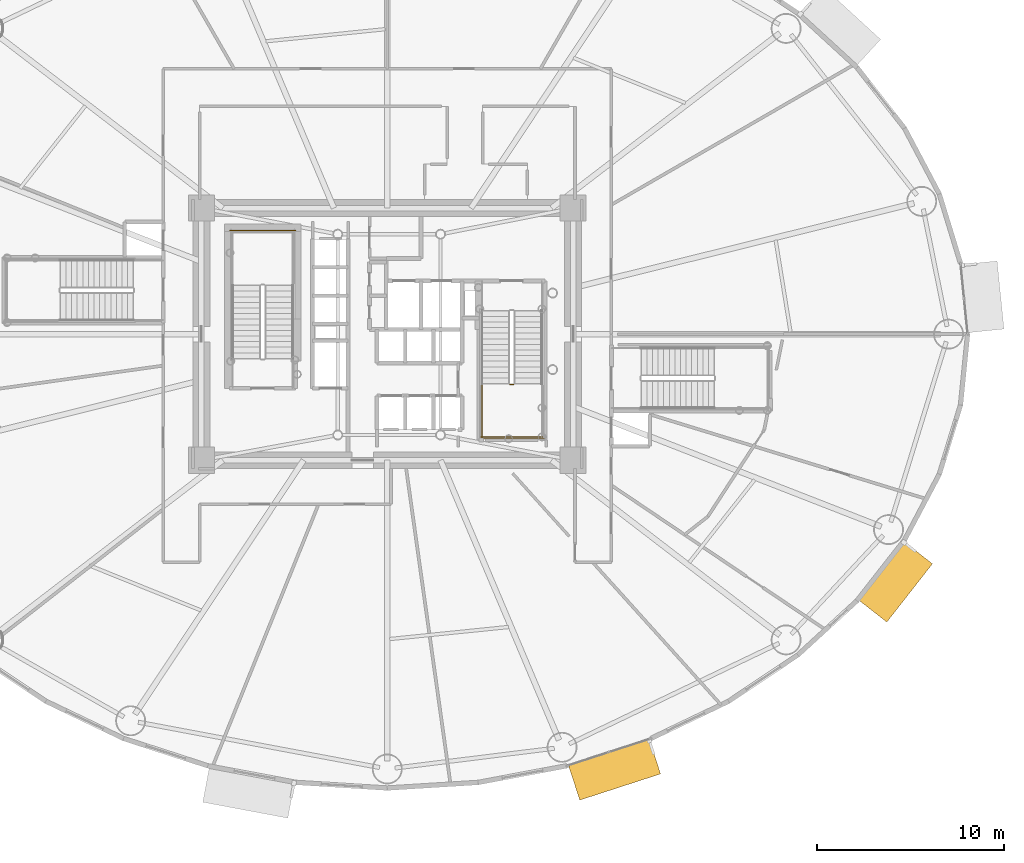
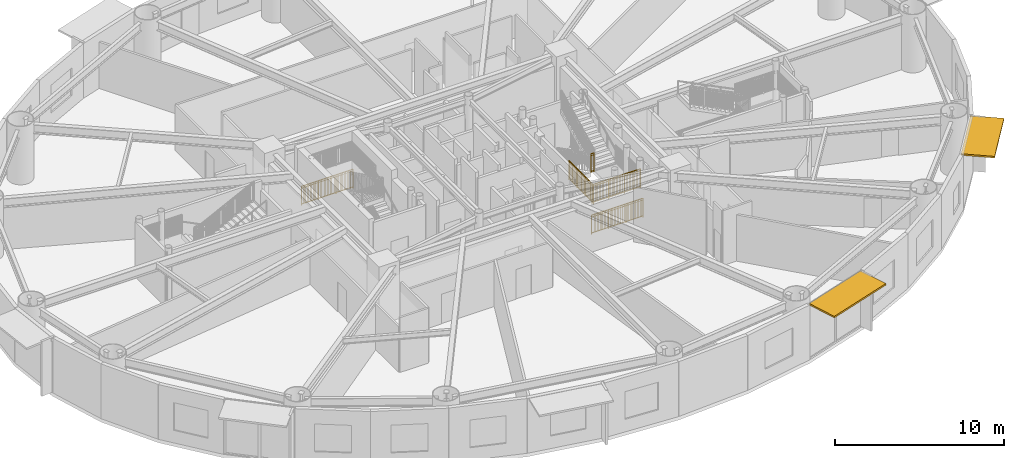
# One storey, part 27 of 32: 5 railings, 2 shading devices.
"""IFC4 building model written with IfcOpenShell, lengths in metres."""

import ifcopenshell
import ifcopenshell.guid

model = None  # the IFC model being written
_history = None  # IfcOwnerHistory: only IFC2X3 demands one
_inside = {}  # id of a spatial element -> (the spatial element, [elements in it])
_under = {}  # id of a project, library or spatial element -> (it, [spatial elements below it])
_declared = {}  # id of a project -> (the project, [libraries it declares])
_typed = {}  # id of a type object -> (the type object, [elements of that type])
_made_of = {}  # id of a material, layer set ... -> (it, [elements and type objects made of it])


def new_model(schema):
    """Start an empty IFC model of exactly this schema.

    Asked for "IFC4X3", IfcOpenShell would pick the latest addendum, in which some entities
    have other attributes; the version numbers below select the first issue.
    IFC2X3 requires an IfcOwnerHistory on every rooted entity: one is made here for all.
    """
    global model, _history
    if schema == "IFC4X3":
        model = ifcopenshell.file(schema_version=(4, 3, 0, 0))
    else:
        model = ifcopenshell.file(schema=schema)
    _inside.clear()
    _under.clear()
    _declared.clear()
    _typed.clear()
    _made_of.clear()
    _history = None
    if model.schema == "IFC2X3":
        org = make("IfcOrganization", Name="unknown")
        user = make(
            "IfcPersonAndOrganization",
            ThePerson=make("IfcPerson", FamilyName="unknown"),
            TheOrganization=org,
        )
        app = make(
            "IfcApplication",
            ApplicationDeveloper=org,
            Version="unknown",
            ApplicationFullName="unknown",
            ApplicationIdentifier="unknown",
        )
        _history = make(
            "IfcOwnerHistory",
            OwningUser=user,
            OwningApplication=app,
            ChangeAction="ADDED",
            CreationDate=0,
        )
    return model


def make(cls, **values):
    """One entity of the class cls with the attributes given. An attribute that is None is left unset."""
    return model.create_entity(
        cls, **{name: value for name, value in values.items() if value is not None}
    )


def rooted(cls, **values):
    """An entity with a GlobalId (a new one), such as an element, a storey or a relation."""
    return make(cls, GlobalId=ifcopenshell.guid.new(), OwnerHistory=_history, **values)


def si_unit(unit_type, name, prefix=None):
    """IfcSIUnit, for example si_unit("LENGTHUNIT", "METRE", prefix="MILLI")."""
    return make("IfcSIUnit", UnitType=unit_type, Prefix=prefix, Name=name)


def assignment(units):
    """IfcUnitAssignment: the units of a project."""
    return None if units is None else make("IfcUnitAssignment", Units=units)


def point(xyz):
    """IfcCartesianPoint."""
    return None if xyz is None else make("IfcCartesianPoint", Coordinates=xyz)


def direction(xyz):
    """IfcDirection."""
    return None if xyz is None else make("IfcDirection", DirectionRatios=xyz)


def frame(location, z_axis=None, x_axis=None):
    """IfcAxis2Placement3D, a coordinate frame: its origin and axes. An axis left out is left unset."""
    return make(
        "IfcAxis2Placement3D",
        Location=point(location),
        Axis=direction(z_axis),
        RefDirection=direction(x_axis),
    )


def frame_2d(location, x_axis=None):
    """IfcAxis2Placement2D, a coordinate frame in the plane: its origin and x axis."""
    return make(
        "IfcAxis2Placement2D", Location=point(location), RefDirection=direction(x_axis)
    )


def origin():
    """The frame at (0, 0, 0) with its axes left unset."""
    return frame((0.0, 0.0, 0.0))


def origin_2d():
    """The frame at (0, 0) in the plane with its x axis left unset."""
    return frame_2d((0.0, 0.0))


def place(relative_to, where):
    """IfcLocalPlacement: puts the frame where relative to a parent placement (None: the world)."""
    return make(
        "IfcLocalPlacement", PlacementRelTo=relative_to, RelativePlacement=where
    )


def context(
    kind, dimensions, precision=None, world=None, true_north=None, identifier=None
):
    """IfcGeometricRepresentationContext, for example the 3D "Model" context."""
    return make(
        "IfcGeometricRepresentationContext",
        ContextIdentifier=identifier,
        ContextType=kind,
        CoordinateSpaceDimension=dimensions,
        Precision=precision,
        WorldCoordinateSystem=world,
        TrueNorth=true_north,
    )


def subcontext(parent, identifier, kind, view, scale=None):
    """IfcGeometricRepresentationSubContext, for example "Body" below "Model"."""
    return make(
        "IfcGeometricRepresentationSubContext",
        ContextIdentifier=identifier,
        ContextType=kind,
        ParentContext=parent,
        TargetScale=scale,
        TargetView=view,
    )


def project(units=None, contexts=None):
    """IfcProject with its units and contexts."""
    return rooted(
        "IfcProject",
        Name="project",
        RepresentationContexts=contexts,
        UnitsInContext=assignment(units),
    )


def spatial(cls, under=None, at=None, **own):
    """A site, building, storey or space (cls), placed at a placement, below another one or the project."""
    s = rooted(cls, ObjectPlacement=at, **own)
    if under is not None:
        _under.setdefault(under.id(), (under, []))[1].append(s)
    return s


def profile(cls, at=None, kind="AREA", **sizes):
    """A parametric profile (cls). Its sizes go by their IFC names, for example OverallWidth=200.0."""
    return make(cls, ProfileType=kind, Position=at, **sizes)


def rectangle(**sizes):
    """IfcRectangleProfileDef."""
    return profile("IfcRectangleProfileDef", **sizes)


def extrude(swept, where, along, depth):
    """IfcExtrudedAreaSolid: the profile swept, set in the frame where, extruded along a direction by depth."""
    return make(
        "IfcExtrudedAreaSolid",
        SweptArea=swept,
        Position=where,
        ExtrudedDirection=direction(along),
        Depth=depth,
    )


def shape(context_of_items, identifier, shape_type, items):
    """IfcShapeRepresentation: the items that make up one representation, for example the "Body"."""
    return make(
        "IfcShapeRepresentation",
        ContextOfItems=context_of_items,
        RepresentationIdentifier=identifier,
        RepresentationType=shape_type,
        Items=items,
    )


def source(mapping_origin, context_of_items, identifier, shape_type, items):
    """IfcRepresentationMap: a shape defined once, which mapped items show again and again."""
    return make(
        "IfcRepresentationMap",
        MappingOrigin=mapping_origin,
        MappedRepresentation=shape(context_of_items, identifier, shape_type, items),
    )


def transform(
    local_origin,
    x_axis=None,
    y_axis=None,
    z_axis=None,
    scale=None,
    scale2=None,
    scale3=None,
    uniform=True,
):
    """IfcCartesianTransformationOperator3D, or its non-uniform kind. x_axis, y_axis, z_axis: its Axis1, 2, 3."""
    if uniform:
        return make(
            "IfcCartesianTransformationOperator3D",
            Axis1=direction(x_axis),
            Axis2=direction(y_axis),
            LocalOrigin=point(local_origin),
            Scale=scale,
            Axis3=direction(z_axis),
        )
    return make(
        "IfcCartesianTransformationOperator3DnonUniform",
        Axis1=direction(x_axis),
        Axis2=direction(y_axis),
        LocalOrigin=point(local_origin),
        Scale=scale,
        Axis3=direction(z_axis),
        Scale2=scale2,
        Scale3=scale3,
    )


def mapped(mapping_source, mapping_target):
    """IfcMappedItem: shows the shape of a source again, moved by a transform."""
    return make(
        "IfcMappedItem", MappingSource=mapping_source, MappingTarget=mapping_target
    )


def material(Name=None, Category=None):
    """IfcMaterial."""
    return make("IfcMaterial", Name=Name, Category=Category)


def layer(
    of_material, thickness, ventilated=None, Name=None, Category=None, Priority=None
):
    """IfcMaterialLayer: one layer of a wall or slab, of a material (None: an air gap)."""
    return make(
        "IfcMaterialLayer",
        Material=of_material,
        LayerThickness=thickness,
        IsVentilated=ventilated,
        Name=Name,
        Category=Category,
        Priority=Priority,
    )


def layer_set(layers, Name=None):
    """IfcMaterialLayerSet."""
    return make("IfcMaterialLayerSet", MaterialLayers=layers, LayerSetName=Name)


def made_of(thing, what):
    """Note that an element or type object is made of a material, layer set ...; save() writes the relation."""
    if what is not None:
        _made_of.setdefault(what.id(), (what, []))[1].append(thing)
    return thing


def type_object(cls, material=None, **own):
    """A type object (cls), such as IfcWallType, which elements share."""
    return made_of(rooted(cls, **own), material)


def element(
    cls,
    number,
    at=None,
    inside=None,
    cuts=None,
    type_object=None,
    material=None,
    context=None,
    identifier="Body",
    shape_type=None,
    held_by="IfcProductDefinitionShape",
    body=None,
    shapes=None,
    **own,
):
    """One element of the class cls, such as IfcWall. Its Tag is "e" and its number.

    at: its placement. inside: the storey or other place that contains it. cuts: it is an
    opening in that element (IfcRelVoidsElement). A single representation is given by context,
    identifier, shape_type and body (its items); several are given by shapes. held_by: the class
    of the entity that holds the representations. save() writes the other relations.
    """
    e = rooted(cls, Tag="e%d" % number, ObjectPlacement=at, **own)
    if body is not None:
        shapes = [shape(context, identifier, shape_type, body)]
    if shapes is not None:
        e.Representation = make(held_by, Representations=shapes)
    if inside is not None:
        _inside.setdefault(inside.id(), (inside, []))[1].append(e)
    if cuts is not None:
        rooted(
            "IfcRelVoidsElement", RelatingBuildingElement=cuts, RelatedOpeningElement=e
        )
    if type_object is not None:
        _typed.setdefault(type_object.id(), (type_object, []))[1].append(e)
    return made_of(e, material)


def aggregate(whole, parts):
    """IfcRelAggregates: a whole, such as a stair, and the parts it consists of."""
    return rooted("IfcRelAggregates", RelatingObject=whole, RelatedObjects=parts)


def save(model, path):
    """Write the relations noted so far, then the file.

    IfcRelAggregates (storeys below a building ...), IfcRelContainedInSpatialStructure (elements
    in a storey), IfcRelDefinesByType, IfcRelAssociatesMaterial and IfcRelDeclares: one each for
    every whole, place, type object, material and project.
    """
    for whole, parts in _under.values():
        aggregate(whole, parts)
    for where, things in _inside.values():
        rooted(
            "IfcRelContainedInSpatialStructure",
            RelatedElements=things,
            RelatingStructure=where,
        )
    for kind, things in _typed.values():
        rooted("IfcRelDefinesByType", RelatedObjects=things, RelatingType=kind)
    for what, things in _made_of.values():
        rooted("IfcRelAssociatesMaterial", RelatedObjects=things, RelatingMaterial=what)
    for by, libraries in _declared.values():
        rooted("IfcRelDeclares", RelatingContext=by, RelatedDefinitions=libraries)
    model.write(path)


model = new_model("IFC4")

# Units and contexts
model_context = context("Model", 3, precision=1e-05, world=origin(), true_north=direction((0.0, 1.0)))
body_context = subcontext(model_context, "Body", "Model", "MODEL_VIEW")
ifc_project = project(units=[si_unit("LENGTHUNIT", "METRE"), si_unit("AREAUNIT", "SQUARE_METRE"), si_unit("VOLUMEUNIT", "CUBIC_METRE"), si_unit("PLANEANGLEUNIT", "RADIAN"), si_unit("MASSUNIT", "GRAM", prefix="KILO")], contexts=[model_context])

# Site, building, storey
site_placement = place(None, origin())
site = spatial("IfcSite", under=ifc_project, at=site_placement, CompositionType="ELEMENT")
building_placement = place(site_placement, origin())
building = spatial("IfcBuilding", under=site, at=building_placement, Name="Linh Dai School and Residence Tower", CompositionType="ELEMENT")
storey_placement = place(building_placement, frame((0.0, 0.0, 40.800048828125)))
storey = spatial("IfcBuildingStorey", under=building, at=storey_placement, Name="L09", CompositionType="ELEMENT", Elevation=40.800048828125)

# Shading devices
ifc_material_1 = material(Name="Terracotta Ceramic Sunshade", Category="masonry")
ifc_layer = layer(ifc_material_1, 0.1201171875)
ifc_layer_set = layer_set([ifc_layer], Name="Terracotta Ceramic Sunshade")
shading_device_type = type_object("IfcShadingDeviceType", Name="SHD-TC-2000", PredefinedType="USERDEFINED", material=ifc_layer_set)
shared_shape_1 = source(origin(), body_context, "Body", "SweptSolid", [
    extrude(rectangle(XDim=4.54931640625, YDim=2.0, at=origin_2d()), origin(), (0.0, 0.0, 1.0), 0.1201171875),
])
shading_device_1_placement = place(storey_placement, frame((48.160400390625, 3.70458984375, 3.809814453125), z_axis=(0.0, 0.0, 1.0), x_axis=(-0.951220777043, -0.308510993844, 0.0)))
element("IfcShadingDevice", 1, at=shading_device_1_placement, inside=storey, type_object=shading_device_type, Name="L09 Terracotta Horizontal Sunshade Band 33", ObjectType="SUNSHADE", PredefinedType="USERDEFINED", context=body_context, shape_type="MappedRepresentation", body=[
    mapped(shared_shape_1, transform((0.0, 0.0, 0.0), x_axis=(1.0, 0.0, 0.0), y_axis=(0.0, 1.0, 0.0), z_axis=(0.0, 0.0, 1.0), scale=1.0)),
])
shared_shape_2 = source(origin(), body_context, "Body", "SweptSolid", [
    extrude(rectangle(XDim=3.964111328125, YDim=2.0, at=origin_2d()), origin(), (0.0, 0.0, 1.0), 0.1201171875),
])
shading_device_2_placement = place(storey_placement, frame((63.17822265625, 13.759521484375, 3.809814453125), z_axis=(0.0, 0.0, 1.0), x_axis=(-0.616319427785, -0.787496262172, 0.0)))
element("IfcShadingDevice", 2, at=shading_device_2_placement, inside=storey, type_object=shading_device_type, Name="L09 Terracotta Horizontal Sunshade Band 37", ObjectType="SUNSHADE", PredefinedType="USERDEFINED", context=body_context, shape_type="MappedRepresentation", body=[
    mapped(shared_shape_2, transform((0.0, 0.0, 0.0), x_axis=(1.0, 0.0, 0.0), y_axis=(0.0, 1.0, 0.0), z_axis=(0.0, 0.0, 1.0), scale=1.0)),
])

# Railings
ifc_material_2 = material(Name="Structural Steel S355JR", Category="steel")
railing_type = type_object("IfcRailingType", Name="RL-ST-GUARD-1400", PredefinedType="GUARDRAIL", material=ifc_material_2)
shared_shape_3 = source(origin(), body_context, "Body", "SweptSolid", [
    extrude(rectangle(XDim=0.048095703125, YDim=0.048095703125, at=origin_2d()), frame((0.0, 0.0, 1.3759765625), z_axis=(-1.0, 0.0, 0.0), x_axis=(0.0, -1.0, 0.0)), (0.0, 0.0, 1.0), 3.5),
    extrude(rectangle(XDim=0.048095703125, YDim=0.048095703125, at=origin_2d()), frame((0.0, 0.0, 0.10009765625), z_axis=(-1.0, 0.0, 0.0), x_axis=(0.0, -1.0, 0.0)), (0.0, 0.0, 1.0), 3.5),
    extrude(rectangle(XDim=0.030029296875, YDim=0.030029296875, at=origin_2d()), frame((0.0, 0.0, 1.239990234375), z_axis=(-1.0, 0.0, 0.0), x_axis=(0.0, -1.0, 0.0)), (0.0, 0.0, 1.0), 3.5),
    extrude(rectangle(XDim=0.02001953125, YDim=0.02001953125, at=origin_2d()), frame((-0.09716796875, 0.0, 0.10009765625)), (0.0, 0.0, 1.0), 1.251708984375),
    extrude(rectangle(XDim=0.02001953125, YDim=0.02001953125, at=origin_2d()), frame((-0.1943359375, 0.0, 0.10009765625)), (0.0, 0.0, 1.0), 1.251708984375),
    extrude(rectangle(XDim=0.02001953125, YDim=0.02001953125, at=origin_2d()), frame((-0.291748046875, 0.0, 0.10009765625)), (0.0, 0.0, 1.0), 1.251708984375),
    extrude(rectangle(XDim=0.02001953125, YDim=0.02001953125, at=origin_2d()), frame((-0.388916015625, 0.0, 0.10009765625)), (0.0, 0.0, 1.0), 1.251708984375),
    extrude(rectangle(XDim=0.02001953125, YDim=0.02001953125, at=origin_2d()), frame((-0.486083984375, 0.0, 0.10009765625)), (0.0, 0.0, 1.0), 1.251708984375),
    extrude(rectangle(XDim=0.02001953125, YDim=0.02001953125, at=origin_2d()), frame((-0.583251953125, 0.0, 0.10009765625)), (0.0, 0.0, 1.0), 1.251708984375),
    extrude(rectangle(XDim=0.02001953125, YDim=0.02001953125, at=origin_2d()), frame((-0.6806640625, 0.0, 0.10009765625)), (0.0, 0.0, 1.0), 1.251708984375),
    extrude(rectangle(XDim=0.02001953125, YDim=0.02001953125, at=origin_2d()), frame((-0.77783203125, 0.0, 0.10009765625)), (0.0, 0.0, 1.0), 1.251708984375),
    extrude(rectangle(XDim=0.02001953125, YDim=0.02001953125, at=origin_2d()), frame((-0.875, 0.0, 0.10009765625)), (0.0, 0.0, 1.0), 1.251708984375),
    extrude(rectangle(XDim=0.02001953125, YDim=0.02001953125, at=origin_2d()), frame((-0.97216796875, 0.0, 0.10009765625)), (0.0, 0.0, 1.0), 1.251708984375),
    extrude(rectangle(XDim=0.02001953125, YDim=0.02001953125, at=origin_2d()), frame((-1.0693359375, 0.0, 0.10009765625)), (0.0, 0.0, 1.0), 1.251708984375),
    extrude(rectangle(XDim=0.02001953125, YDim=0.02001953125, at=origin_2d()), frame((-1.263916015625, 0.0, 0.10009765625)), (0.0, 0.0, 1.0), 1.251708984375),
    extrude(rectangle(XDim=0.02001953125, YDim=0.02001953125, at=origin_2d()), frame((-1.361083984375, 0.0, 0.10009765625)), (0.0, 0.0, 1.0), 1.251708984375),
    extrude(rectangle(XDim=0.02001953125, YDim=0.02001953125, at=origin_2d()), frame((-1.458251953125, 0.0, 0.10009765625)), (0.0, 0.0, 1.0), 1.251708984375),
    extrude(rectangle(XDim=0.02001953125, YDim=0.02001953125, at=origin_2d()), frame((-1.5556640625, 0.0, 0.10009765625)), (0.0, 0.0, 1.0), 1.251708984375),
    extrude(rectangle(XDim=0.02001953125, YDim=0.02001953125, at=origin_2d()), frame((-1.65283203125, 0.0, 0.10009765625)), (0.0, 0.0, 1.0), 1.251708984375),
    extrude(rectangle(XDim=0.02001953125, YDim=0.02001953125, at=origin_2d()), frame((-1.75, 0.0, 0.10009765625)), (0.0, 0.0, 1.0), 1.251708984375),
    extrude(rectangle(XDim=0.02001953125, YDim=0.02001953125, at=origin_2d()), frame((-1.84716796875, 0.0, 0.10009765625)), (0.0, 0.0, 1.0), 1.251708984375),
    extrude(rectangle(XDim=0.02001953125, YDim=0.02001953125, at=origin_2d()), frame((-1.9443359375, 0.0, 0.10009765625)), (0.0, 0.0, 1.0), 1.251708984375),
    extrude(rectangle(XDim=0.02001953125, YDim=0.02001953125, at=origin_2d()), frame((-2.041748046875, 0.0, 0.10009765625)), (0.0, 0.0, 1.0), 1.251708984375),
    extrude(rectangle(XDim=0.02001953125, YDim=0.02001953125, at=origin_2d()), frame((-2.138916015625, 0.0, 0.10009765625)), (0.0, 0.0, 1.0), 1.251708984375),
    extrude(rectangle(XDim=0.02001953125, YDim=0.02001953125, at=origin_2d()), frame((-2.236083984375, 0.0, 0.10009765625)), (0.0, 0.0, 1.0), 1.251708984375),
    extrude(rectangle(XDim=0.02001953125, YDim=0.02001953125, at=origin_2d()), frame((-2.4306640625, 0.0, 0.10009765625)), (0.0, 0.0, 1.0), 1.251708984375),
    extrude(rectangle(XDim=0.02001953125, YDim=0.02001953125, at=origin_2d()), frame((-2.52783203125, 0.0, 0.10009765625)), (0.0, 0.0, 1.0), 1.251708984375),
    extrude(rectangle(XDim=0.02001953125, YDim=0.02001953125, at=origin_2d()), frame((-2.625, 0.0, 0.10009765625)), (0.0, 0.0, 1.0), 1.251708984375),
    extrude(rectangle(XDim=0.02001953125, YDim=0.02001953125, at=origin_2d()), frame((-2.72216796875, 0.0, 0.10009765625)), (0.0, 0.0, 1.0), 1.251708984375),
    extrude(rectangle(XDim=0.02001953125, YDim=0.02001953125, at=origin_2d()), frame((-2.8193359375, 0.0, 0.10009765625)), (0.0, 0.0, 1.0), 1.251708984375),
    extrude(rectangle(XDim=0.02001953125, YDim=0.02001953125, at=origin_2d()), frame((-2.916748046875, 0.0, 0.10009765625)), (0.0, 0.0, 1.0), 1.251708984375),
    extrude(rectangle(XDim=0.02001953125, YDim=0.02001953125, at=origin_2d()), frame((-3.013916015625, 0.0, 0.10009765625)), (0.0, 0.0, 1.0), 1.251708984375),
    extrude(rectangle(XDim=0.02001953125, YDim=0.02001953125, at=origin_2d()), frame((-3.111083984375, 0.0, 0.10009765625)), (0.0, 0.0, 1.0), 1.251708984375),
    extrude(rectangle(XDim=0.02001953125, YDim=0.02001953125, at=origin_2d()), frame((-3.208251953125, 0.0, 0.10009765625)), (0.0, 0.0, 1.0), 1.251708984375),
    extrude(rectangle(XDim=0.02001953125, YDim=0.02001953125, at=origin_2d()), frame((-3.3056640625, 0.0, 0.10009765625)), (0.0, 0.0, 1.0), 1.251708984375),
    extrude(rectangle(XDim=0.02001953125, YDim=0.02001953125, at=origin_2d()), frame((-3.40283203125, 0.0, 0.10009765625)), (0.0, 0.0, 1.0), 1.251708984375),
    extrude(rectangle(XDim=0.0419921875, YDim=0.0419921875, at=origin_2d()), origin(), (0.0, 0.0, 1.0), 1.3759765625),
    extrude(rectangle(XDim=0.0419921875, YDim=0.0419921875, at=origin_2d()), frame((-1.166748046875, 0.0, 0.0)), (0.0, 0.0, 1.0), 1.3759765625),
    extrude(rectangle(XDim=0.0419921875, YDim=0.0419921875, at=origin_2d()), frame((-2.333251953125, 0.0, 0.0)), (0.0, 0.0, 1.0), 1.3759765625),
    extrude(rectangle(XDim=0.0419921875, YDim=0.0419921875, at=origin_2d()), frame((-3.5, 0.0, 0.0)), (0.0, 0.0, 1.0), 1.3759765625),
])
railing_1_placement = place(storey_placement, frame((31.080078125, 32.550048828125, 0.0)))
element("IfcRailing", 3, at=railing_1_placement, inside=storey, type_object=railing_type, Name="L09 ST1 stair guard 12", PredefinedType="GUARDRAIL", context=body_context, shape_type="MappedRepresentation", body=[
    mapped(shared_shape_3, transform((0.0, 0.0, 0.0), x_axis=(1.0, 0.0, 0.0), y_axis=(0.0, 1.0, 0.0), z_axis=(0.0, 0.0, 1.0), scale=1.0)),
])
shared_shape_4 = source(origin(), body_context, "Body", "SweptSolid", [
    extrude(rectangle(XDim=0.048095703125, YDim=0.048095703125, at=origin_2d()), frame((0.0, 0.0, 1.3759765625), z_axis=(1.0, 0.0, 0.0), x_axis=(0.0, 1.0, 0.0)), (0.0, 0.0, 1.0), 0.199951171875),
    extrude(rectangle(XDim=0.048095703125, YDim=0.048095703125, at=origin_2d()), frame((0.0, 0.0, 0.10009765625), z_axis=(1.0, 0.0, 0.0), x_axis=(0.0, 1.0, 0.0)), (0.0, 0.0, 1.0), 0.199951171875),
    extrude(rectangle(XDim=0.030029296875, YDim=0.030029296875, at=origin_2d()), frame((0.0, 0.0, 1.239990234375), z_axis=(1.0, 0.0, 0.0), x_axis=(0.0, 1.0, 0.0)), (0.0, 0.0, 1.0), 0.199951171875),
    extrude(rectangle(XDim=0.0419921875, YDim=0.0419921875, at=origin_2d()), origin(), (0.0, 0.0, 1.0), 1.3759765625),
    extrude(rectangle(XDim=0.0419921875, YDim=0.0419921875, at=origin_2d()), frame((0.199951171875, 0.0, 0.0)), (0.0, 0.0, 1.0), 1.3759765625),
])
railing_2_placement = place(storey_placement, frame((42.570068359375, 24.300048828125, 2.099853515625)))
element("IfcRailing", 4, at=railing_2_placement, inside=storey, type_object=railing_type, Name="L09 ST2 stair guard 2", PredefinedType="GUARDRAIL", context=body_context, shape_type="MappedRepresentation", body=[
    mapped(shared_shape_4, transform((0.0, 0.0, 0.0), x_axis=(1.0, 0.0, 0.0), y_axis=(0.0, 1.0, 0.0), z_axis=(0.0, 0.0, 1.0), scale=1.0)),
])
shared_shape_5 = source(origin(), body_context, "Body", "SweptSolid", [
    extrude(rectangle(XDim=0.048095703125, YDim=0.048095703125, at=origin_2d()), frame((0.0, 0.0, 1.3759765625), z_axis=(1.0, 0.0, 0.0), x_axis=(0.0, 1.0, 0.0)), (0.0, 0.0, 1.0), 3.300048828125),
    extrude(rectangle(XDim=0.048095703125, YDim=0.048095703125, at=origin_2d()), frame((0.0, 0.0, 0.10009765625), z_axis=(1.0, 0.0, 0.0), x_axis=(0.0, 1.0, 0.0)), (0.0, 0.0, 1.0), 3.300048828125),
    extrude(rectangle(XDim=0.030029296875, YDim=0.030029296875, at=origin_2d()), frame((0.0, 0.0, 1.239990234375), z_axis=(1.0, 0.0, 0.0), x_axis=(0.0, 1.0, 0.0)), (0.0, 0.0, 1.0), 3.300048828125),
    extrude(rectangle(XDim=0.02001953125, YDim=0.02001953125, at=origin_2d()), frame((0.09716796875, 0.0, 0.10009765625)), (0.0, 0.0, 1.0), 1.251708984375),
    extrude(rectangle(XDim=0.02001953125, YDim=0.02001953125, at=origin_2d()), frame((0.194091796875, 0.0, 0.10009765625)), (0.0, 0.0, 1.0), 1.251708984375),
    extrude(rectangle(XDim=0.02001953125, YDim=0.02001953125, at=origin_2d()), frame((0.291259765625, 0.0, 0.10009765625)), (0.0, 0.0, 1.0), 1.251708984375),
    extrude(rectangle(XDim=0.02001953125, YDim=0.02001953125, at=origin_2d()), frame((0.38818359375, 0.0, 0.10009765625)), (0.0, 0.0, 1.0), 1.251708984375),
    extrude(rectangle(XDim=0.02001953125, YDim=0.02001953125, at=origin_2d()), frame((0.4853515625, 0.0, 0.10009765625)), (0.0, 0.0, 1.0), 1.251708984375),
    extrude(rectangle(XDim=0.02001953125, YDim=0.02001953125, at=origin_2d()), frame((0.582275390625, 0.0, 0.10009765625)), (0.0, 0.0, 1.0), 1.251708984375),
    extrude(rectangle(XDim=0.02001953125, YDim=0.02001953125, at=origin_2d()), frame((0.679443359375, 0.0, 0.10009765625)), (0.0, 0.0, 1.0), 1.251708984375),
    extrude(rectangle(XDim=0.02001953125, YDim=0.02001953125, at=origin_2d()), frame((0.7763671875, 0.0, 0.10009765625)), (0.0, 0.0, 1.0), 1.251708984375),
    extrude(rectangle(XDim=0.02001953125, YDim=0.02001953125, at=origin_2d()), frame((0.87353515625, 0.0, 0.10009765625)), (0.0, 0.0, 1.0), 1.251708984375),
    extrude(rectangle(XDim=0.02001953125, YDim=0.02001953125, at=origin_2d()), frame((0.970703125, 0.0, 0.10009765625)), (0.0, 0.0, 1.0), 1.251708984375),
    extrude(rectangle(XDim=0.02001953125, YDim=0.02001953125, at=origin_2d()), frame((1.164794921875, 0.0, 0.10009765625)), (0.0, 0.0, 1.0), 1.251708984375),
    extrude(rectangle(XDim=0.02001953125, YDim=0.02001953125, at=origin_2d()), frame((1.26171875, 0.0, 0.10009765625)), (0.0, 0.0, 1.0), 1.251708984375),
    extrude(rectangle(XDim=0.02001953125, YDim=0.02001953125, at=origin_2d()), frame((1.35888671875, 0.0, 0.10009765625)), (0.0, 0.0, 1.0), 1.251708984375),
    extrude(rectangle(XDim=0.02001953125, YDim=0.02001953125, at=origin_2d()), frame((1.455810546875, 0.0, 0.10009765625)), (0.0, 0.0, 1.0), 1.251708984375),
    extrude(rectangle(XDim=0.02001953125, YDim=0.02001953125, at=origin_2d()), frame((1.552978515625, 0.0, 0.10009765625)), (0.0, 0.0, 1.0), 1.251708984375),
    extrude(rectangle(XDim=0.02001953125, YDim=0.02001953125, at=origin_2d()), frame((1.64990234375, 0.0, 0.10009765625)), (0.0, 0.0, 1.0), 1.251708984375),
    extrude(rectangle(XDim=0.02001953125, YDim=0.02001953125, at=origin_2d()), frame((1.7470703125, 0.0, 0.10009765625)), (0.0, 0.0, 1.0), 1.251708984375),
    extrude(rectangle(XDim=0.02001953125, YDim=0.02001953125, at=origin_2d()), frame((1.84423828125, 0.0, 0.10009765625)), (0.0, 0.0, 1.0), 1.251708984375),
    extrude(rectangle(XDim=0.02001953125, YDim=0.02001953125, at=origin_2d()), frame((1.941162109375, 0.0, 0.10009765625)), (0.0, 0.0, 1.0), 1.251708984375),
    extrude(rectangle(XDim=0.02001953125, YDim=0.02001953125, at=origin_2d()), frame((2.038330078125, 0.0, 0.10009765625)), (0.0, 0.0, 1.0), 1.251708984375),
    extrude(rectangle(XDim=0.02001953125, YDim=0.02001953125, at=origin_2d()), frame((2.13525390625, 0.0, 0.10009765625)), (0.0, 0.0, 1.0), 1.251708984375),
    extrude(rectangle(XDim=0.02001953125, YDim=0.02001953125, at=origin_2d()), frame((2.329345703125, 0.0, 0.10009765625)), (0.0, 0.0, 1.0), 1.251708984375),
    extrude(rectangle(XDim=0.02001953125, YDim=0.02001953125, at=origin_2d()), frame((2.426513671875, 0.0, 0.10009765625)), (0.0, 0.0, 1.0), 1.251708984375),
    extrude(rectangle(XDim=0.02001953125, YDim=0.02001953125, at=origin_2d()), frame((2.523681640625, 0.0, 0.10009765625)), (0.0, 0.0, 1.0), 1.251708984375),
    extrude(rectangle(XDim=0.02001953125, YDim=0.02001953125, at=origin_2d()), frame((2.62060546875, 0.0, 0.10009765625)), (0.0, 0.0, 1.0), 1.251708984375),
    extrude(rectangle(XDim=0.02001953125, YDim=0.02001953125, at=origin_2d()), frame((2.7177734375, 0.0, 0.10009765625)), (0.0, 0.0, 1.0), 1.251708984375),
    extrude(rectangle(XDim=0.02001953125, YDim=0.02001953125, at=origin_2d()), frame((2.814697265625, 0.0, 0.10009765625)), (0.0, 0.0, 1.0), 1.251708984375),
    extrude(rectangle(XDim=0.02001953125, YDim=0.02001953125, at=origin_2d()), frame((2.911865234375, 0.0, 0.10009765625)), (0.0, 0.0, 1.0), 1.251708984375),
    extrude(rectangle(XDim=0.02001953125, YDim=0.02001953125, at=origin_2d()), frame((3.0087890625, 0.0, 0.10009765625)), (0.0, 0.0, 1.0), 1.251708984375),
    extrude(rectangle(XDim=0.02001953125, YDim=0.02001953125, at=origin_2d()), frame((3.10595703125, 0.0, 0.10009765625)), (0.0, 0.0, 1.0), 1.251708984375),
    extrude(rectangle(XDim=0.02001953125, YDim=0.02001953125, at=origin_2d()), frame((3.202880859375, 0.0, 0.10009765625)), (0.0, 0.0, 1.0), 1.251708984375),
    extrude(rectangle(XDim=0.0419921875, YDim=0.0419921875, at=origin_2d()), origin(), (0.0, 0.0, 1.0), 1.3759765625),
    extrude(rectangle(XDim=0.0419921875, YDim=0.0419921875, at=origin_2d()), frame((1.10009765625, 0.0, 0.0)), (0.0, 0.0, 1.0), 1.3759765625),
    extrude(rectangle(XDim=0.0419921875, YDim=0.0419921875, at=origin_2d()), frame((2.199951171875, 0.0, 0.0)), (0.0, 0.0, 1.0), 1.3759765625),
    extrude(rectangle(XDim=0.0419921875, YDim=0.0419921875, at=origin_2d()), frame((3.300048828125, 0.0, 0.0)), (0.0, 0.0, 1.0), 1.3759765625),
])
railing_3_placement = place(storey_placement, frame((41.02001953125, 21.5, 2.099853515625)))
element("IfcRailing", 5, at=railing_3_placement, inside=storey, type_object=railing_type, Name="L09 ST2 stair guard 5", PredefinedType="GUARDRAIL", context=body_context, shape_type="MappedRepresentation", body=[
    mapped(shared_shape_5, transform((0.0, 0.0, 0.0), x_axis=(1.0, 0.0, 0.0), y_axis=(0.0, 1.0, 0.0), z_axis=(0.0, 0.0, 1.0), scale=1.0)),
])
shared_shape_6 = source(origin(), body_context, "Body", "SweptSolid", [
    extrude(rectangle(XDim=0.048095703125, YDim=0.048095703125, at=origin_2d()), frame((0.0, 0.0, 1.3759765625), z_axis=(1.0, 0.0, 0.0), x_axis=(0.0, 1.0, 0.0)), (0.0, 0.0, 1.0), 3.5),
    extrude(rectangle(XDim=0.048095703125, YDim=0.048095703125, at=origin_2d()), frame((0.0, 0.0, 0.10009765625), z_axis=(1.0, 0.0, 0.0), x_axis=(0.0, 1.0, 0.0)), (0.0, 0.0, 1.0), 3.5),
    extrude(rectangle(XDim=0.030029296875, YDim=0.030029296875, at=origin_2d()), frame((0.0, 0.0, 1.239990234375), z_axis=(1.0, 0.0, 0.0), x_axis=(0.0, 1.0, 0.0)), (0.0, 0.0, 1.0), 3.5),
    extrude(rectangle(XDim=0.02001953125, YDim=0.02001953125, at=origin_2d()), frame((0.09716796875, 0.0, 0.10009765625)), (0.0, 0.0, 1.0), 1.251708984375),
    extrude(rectangle(XDim=0.02001953125, YDim=0.02001953125, at=origin_2d()), frame((0.1943359375, 0.0, 0.10009765625)), (0.0, 0.0, 1.0), 1.251708984375),
    extrude(rectangle(XDim=0.02001953125, YDim=0.02001953125, at=origin_2d()), frame((0.291748046875, 0.0, 0.10009765625)), (0.0, 0.0, 1.0), 1.251708984375),
    extrude(rectangle(XDim=0.02001953125, YDim=0.02001953125, at=origin_2d()), frame((0.388916015625, 0.0, 0.10009765625)), (0.0, 0.0, 1.0), 1.251708984375),
    extrude(rectangle(XDim=0.02001953125, YDim=0.02001953125, at=origin_2d()), frame((0.486083984375, 0.0, 0.10009765625)), (0.0, 0.0, 1.0), 1.251708984375),
    extrude(rectangle(XDim=0.02001953125, YDim=0.02001953125, at=origin_2d()), frame((0.583251953125, 0.0, 0.10009765625)), (0.0, 0.0, 1.0), 1.251708984375),
    extrude(rectangle(XDim=0.02001953125, YDim=0.02001953125, at=origin_2d()), frame((0.6806640625, 0.0, 0.10009765625)), (0.0, 0.0, 1.0), 1.251708984375),
    extrude(rectangle(XDim=0.02001953125, YDim=0.02001953125, at=origin_2d()), frame((0.77783203125, 0.0, 0.10009765625)), (0.0, 0.0, 1.0), 1.251708984375),
    extrude(rectangle(XDim=0.02001953125, YDim=0.02001953125, at=origin_2d()), frame((0.875, 0.0, 0.10009765625)), (0.0, 0.0, 1.0), 1.251708984375),
    extrude(rectangle(XDim=0.02001953125, YDim=0.02001953125, at=origin_2d()), frame((0.97216796875, 0.0, 0.10009765625)), (0.0, 0.0, 1.0), 1.251708984375),
    extrude(rectangle(XDim=0.02001953125, YDim=0.02001953125, at=origin_2d()), frame((1.0693359375, 0.0, 0.10009765625)), (0.0, 0.0, 1.0), 1.251708984375),
    extrude(rectangle(XDim=0.02001953125, YDim=0.02001953125, at=origin_2d()), frame((1.263916015625, 0.0, 0.10009765625)), (0.0, 0.0, 1.0), 1.251708984375),
    extrude(rectangle(XDim=0.02001953125, YDim=0.02001953125, at=origin_2d()), frame((1.361083984375, 0.0, 0.10009765625)), (0.0, 0.0, 1.0), 1.251708984375),
    extrude(rectangle(XDim=0.02001953125, YDim=0.02001953125, at=origin_2d()), frame((1.458251953125, 0.0, 0.10009765625)), (0.0, 0.0, 1.0), 1.251708984375),
    extrude(rectangle(XDim=0.02001953125, YDim=0.02001953125, at=origin_2d()), frame((1.5556640625, 0.0, 0.10009765625)), (0.0, 0.0, 1.0), 1.251708984375),
    extrude(rectangle(XDim=0.02001953125, YDim=0.02001953125, at=origin_2d()), frame((1.65283203125, 0.0, 0.10009765625)), (0.0, 0.0, 1.0), 1.251708984375),
    extrude(rectangle(XDim=0.02001953125, YDim=0.02001953125, at=origin_2d()), frame((1.75, 0.0, 0.10009765625)), (0.0, 0.0, 1.0), 1.251708984375),
    extrude(rectangle(XDim=0.02001953125, YDim=0.02001953125, at=origin_2d()), frame((1.84716796875, 0.0, 0.10009765625)), (0.0, 0.0, 1.0), 1.251708984375),
    extrude(rectangle(XDim=0.02001953125, YDim=0.02001953125, at=origin_2d()), frame((1.9443359375, 0.0, 0.10009765625)), (0.0, 0.0, 1.0), 1.251708984375),
    extrude(rectangle(XDim=0.02001953125, YDim=0.02001953125, at=origin_2d()), frame((2.041748046875, 0.0, 0.10009765625)), (0.0, 0.0, 1.0), 1.251708984375),
    extrude(rectangle(XDim=0.02001953125, YDim=0.02001953125, at=origin_2d()), frame((2.138916015625, 0.0, 0.10009765625)), (0.0, 0.0, 1.0), 1.251708984375),
    extrude(rectangle(XDim=0.02001953125, YDim=0.02001953125, at=origin_2d()), frame((2.236083984375, 0.0, 0.10009765625)), (0.0, 0.0, 1.0), 1.251708984375),
    extrude(rectangle(XDim=0.02001953125, YDim=0.02001953125, at=origin_2d()), frame((2.4306640625, 0.0, 0.10009765625)), (0.0, 0.0, 1.0), 1.251708984375),
    extrude(rectangle(XDim=0.02001953125, YDim=0.02001953125, at=origin_2d()), frame((2.52783203125, 0.0, 0.10009765625)), (0.0, 0.0, 1.0), 1.251708984375),
    extrude(rectangle(XDim=0.02001953125, YDim=0.02001953125, at=origin_2d()), frame((2.625, 0.0, 0.10009765625)), (0.0, 0.0, 1.0), 1.251708984375),
    extrude(rectangle(XDim=0.02001953125, YDim=0.02001953125, at=origin_2d()), frame((2.72216796875, 0.0, 0.10009765625)), (0.0, 0.0, 1.0), 1.251708984375),
    extrude(rectangle(XDim=0.02001953125, YDim=0.02001953125, at=origin_2d()), frame((2.8193359375, 0.0, 0.10009765625)), (0.0, 0.0, 1.0), 1.251708984375),
    extrude(rectangle(XDim=0.02001953125, YDim=0.02001953125, at=origin_2d()), frame((2.916748046875, 0.0, 0.10009765625)), (0.0, 0.0, 1.0), 1.251708984375),
    extrude(rectangle(XDim=0.02001953125, YDim=0.02001953125, at=origin_2d()), frame((3.013916015625, 0.0, 0.10009765625)), (0.0, 0.0, 1.0), 1.251708984375),
    extrude(rectangle(XDim=0.02001953125, YDim=0.02001953125, at=origin_2d()), frame((3.111083984375, 0.0, 0.10009765625)), (0.0, 0.0, 1.0), 1.251708984375),
    extrude(rectangle(XDim=0.02001953125, YDim=0.02001953125, at=origin_2d()), frame((3.208251953125, 0.0, 0.10009765625)), (0.0, 0.0, 1.0), 1.251708984375),
    extrude(rectangle(XDim=0.02001953125, YDim=0.02001953125, at=origin_2d()), frame((3.3056640625, 0.0, 0.10009765625)), (0.0, 0.0, 1.0), 1.251708984375),
    extrude(rectangle(XDim=0.02001953125, YDim=0.02001953125, at=origin_2d()), frame((3.40283203125, 0.0, 0.10009765625)), (0.0, 0.0, 1.0), 1.251708984375),
    extrude(rectangle(XDim=0.0419921875, YDim=0.0419921875, at=origin_2d()), origin(), (0.0, 0.0, 1.0), 1.3759765625),
    extrude(rectangle(XDim=0.0419921875, YDim=0.0419921875, at=origin_2d()), frame((1.166748046875, 0.0, 0.0)), (0.0, 0.0, 1.0), 1.3759765625),
    extrude(rectangle(XDim=0.0419921875, YDim=0.0419921875, at=origin_2d()), frame((2.333251953125, 0.0, 0.0)), (0.0, 0.0, 1.0), 1.3759765625),
    extrude(rectangle(XDim=0.0419921875, YDim=0.0419921875, at=origin_2d()), frame((3.5, 0.0, 0.0)), (0.0, 0.0, 1.0), 1.3759765625),
])
railing_4_placement = place(storey_placement, frame((40.919921875, 21.39990234375, 0.0)))
element("IfcRailing", 6, at=railing_4_placement, inside=storey, type_object=railing_type, Name="L09 ST2 stair guard 12", PredefinedType="GUARDRAIL", context=body_context, shape_type="MappedRepresentation", body=[
    mapped(shared_shape_6, transform((0.0, 0.0, 0.0), x_axis=(1.0, 0.0, 0.0), y_axis=(0.0, 1.0, 0.0), z_axis=(0.0, 0.0, 1.0), scale=1.0)),
])
shared_shape_7 = source(origin(), body_context, "Body", "SweptSolid", [
    extrude(rectangle(XDim=0.048095703125, YDim=0.048095703125, at=origin_2d()), frame((0.0, 0.0, 1.3759765625), z_axis=(0.0, -1.0, 0.0), x_axis=(1.0, 0.0, 0.0)), (0.0, 0.0, 1.0), 2.900146484375),
    extrude(rectangle(XDim=0.048095703125, YDim=0.048095703125, at=origin_2d()), frame((0.0, 0.0, 0.10009765625), z_axis=(0.0, -1.0, 0.0), x_axis=(1.0, 0.0, 0.0)), (0.0, 0.0, 1.0), 2.900146484375),
    extrude(rectangle(XDim=0.030029296875, YDim=0.030029296875, at=origin_2d()), frame((0.0, 0.0, 1.239990234375), z_axis=(0.0, -1.0, 0.0), x_axis=(1.0, 0.0, 0.0)), (0.0, 0.0, 1.0), 2.900146484375),
    extrude(rectangle(XDim=0.02001953125, YDim=0.02001953125, at=origin_2d()), frame((0.0, -0.0966796875, 0.10009765625)), (0.0, 0.0, 1.0), 1.251708984375),
    extrude(rectangle(XDim=0.02001953125, YDim=0.02001953125, at=origin_2d()), frame((0.0, -0.193359375, 0.10009765625)), (0.0, 0.0, 1.0), 1.251708984375),
    extrude(rectangle(XDim=0.02001953125, YDim=0.02001953125, at=origin_2d()), frame((0.0, -0.2900390625, 0.10009765625)), (0.0, 0.0, 1.0), 1.251708984375),
    extrude(rectangle(XDim=0.02001953125, YDim=0.02001953125, at=origin_2d()), frame((0.0, -0.38671875, 0.10009765625)), (0.0, 0.0, 1.0), 1.251708984375),
    extrude(rectangle(XDim=0.02001953125, YDim=0.02001953125, at=origin_2d()), frame((0.0, -0.4833984375, 0.10009765625)), (0.0, 0.0, 1.0), 1.251708984375),
    extrude(rectangle(XDim=0.02001953125, YDim=0.02001953125, at=origin_2d()), frame((0.0, -0.580078125, 0.10009765625)), (0.0, 0.0, 1.0), 1.251708984375),
    extrude(rectangle(XDim=0.02001953125, YDim=0.02001953125, at=origin_2d()), frame((0.0, -0.6767578125, 0.10009765625)), (0.0, 0.0, 1.0), 1.251708984375),
    extrude(rectangle(XDim=0.02001953125, YDim=0.02001953125, at=origin_2d()), frame((0.0, -0.7734375, 0.10009765625)), (0.0, 0.0, 1.0), 1.251708984375),
    extrude(rectangle(XDim=0.02001953125, YDim=0.02001953125, at=origin_2d()), frame((0.0, -0.8701171875, 0.10009765625)), (0.0, 0.0, 1.0), 1.251708984375),
    extrude(rectangle(XDim=0.02001953125, YDim=0.02001953125, at=origin_2d()), frame((0.0, -1.0634765625, 0.10009765625)), (0.0, 0.0, 1.0), 1.251708984375),
    extrude(rectangle(XDim=0.02001953125, YDim=0.02001953125, at=origin_2d()), frame((0.0, -1.16015625, 0.10009765625)), (0.0, 0.0, 1.0), 1.251708984375),
    extrude(rectangle(XDim=0.02001953125, YDim=0.02001953125, at=origin_2d()), frame((0.0, -1.2568359375, 0.10009765625)), (0.0, 0.0, 1.0), 1.251708984375),
    extrude(rectangle(XDim=0.02001953125, YDim=0.02001953125, at=origin_2d()), frame((0.0, -1.353515625, 0.10009765625)), (0.0, 0.0, 1.0), 1.251708984375),
    extrude(rectangle(XDim=0.02001953125, YDim=0.02001953125, at=origin_2d()), frame((0.0, -1.4501953125, 0.10009765625)), (0.0, 0.0, 1.0), 1.251708984375),
    extrude(rectangle(XDim=0.02001953125, YDim=0.02001953125, at=origin_2d()), frame((0.0, -1.546630859375, 0.10009765625)), (0.0, 0.0, 1.0), 1.251708984375),
    extrude(rectangle(XDim=0.02001953125, YDim=0.02001953125, at=origin_2d()), frame((0.0, -1.643310546875, 0.10009765625)), (0.0, 0.0, 1.0), 1.251708984375),
    extrude(rectangle(XDim=0.02001953125, YDim=0.02001953125, at=origin_2d()), frame((0.0, -1.739990234375, 0.10009765625)), (0.0, 0.0, 1.0), 1.251708984375),
    extrude(rectangle(XDim=0.02001953125, YDim=0.02001953125, at=origin_2d()), frame((0.0, -1.836669921875, 0.10009765625)), (0.0, 0.0, 1.0), 1.251708984375),
    extrude(rectangle(XDim=0.02001953125, YDim=0.02001953125, at=origin_2d()), frame((0.0, -2.030029296875, 0.10009765625)), (0.0, 0.0, 1.0), 1.251708984375),
    extrude(rectangle(XDim=0.02001953125, YDim=0.02001953125, at=origin_2d()), frame((0.0, -2.126708984375, 0.10009765625)), (0.0, 0.0, 1.0), 1.251708984375),
    extrude(rectangle(XDim=0.02001953125, YDim=0.02001953125, at=origin_2d()), frame((0.0, -2.223388671875, 0.10009765625)), (0.0, 0.0, 1.0), 1.251708984375),
    extrude(rectangle(XDim=0.02001953125, YDim=0.02001953125, at=origin_2d()), frame((0.0, -2.320068359375, 0.10009765625)), (0.0, 0.0, 1.0), 1.251708984375),
    extrude(rectangle(XDim=0.02001953125, YDim=0.02001953125, at=origin_2d()), frame((0.0, -2.416748046875, 0.10009765625)), (0.0, 0.0, 1.0), 1.251708984375),
    extrude(rectangle(XDim=0.02001953125, YDim=0.02001953125, at=origin_2d()), frame((0.0, -2.513427734375, 0.10009765625)), (0.0, 0.0, 1.0), 1.251708984375),
    extrude(rectangle(XDim=0.02001953125, YDim=0.02001953125, at=origin_2d()), frame((0.0, -2.610107421875, 0.10009765625)), (0.0, 0.0, 1.0), 1.251708984375),
    extrude(rectangle(XDim=0.02001953125, YDim=0.02001953125, at=origin_2d()), frame((0.0, -2.706787109375, 0.10009765625)), (0.0, 0.0, 1.0), 1.251708984375),
    extrude(rectangle(XDim=0.02001953125, YDim=0.02001953125, at=origin_2d()), frame((0.0, -2.803466796875, 0.10009765625)), (0.0, 0.0, 1.0), 1.251708984375),
    extrude(rectangle(XDim=0.0419921875, YDim=0.0419921875, at=origin_2d()), origin(), (0.0, 0.0, 1.0), 1.3759765625),
    extrude(rectangle(XDim=0.0419921875, YDim=0.0419921875, at=origin_2d()), frame((0.0, -0.966796875, 0.0)), (0.0, 0.0, 1.0), 1.3759765625),
    extrude(rectangle(XDim=0.0419921875, YDim=0.0419921875, at=origin_2d()), frame((0.0, -1.933349609375, 0.0)), (0.0, 0.0, 1.0), 1.3759765625),
    extrude(rectangle(XDim=0.0419921875, YDim=0.0419921875, at=origin_2d()), frame((0.0, -2.900146484375, 0.0)), (0.0, 0.0, 1.0), 1.3759765625),
])
railing_5_placement = place(storey_placement, frame((41.070068359375, 24.35009765625, 2.099853515625)))
element("IfcRailing", 7, at=railing_5_placement, inside=storey, type_object=railing_type, Name="L09 ST2 stair guard 3", PredefinedType="GUARDRAIL", context=body_context, shape_type="MappedRepresentation", body=[
    mapped(shared_shape_7, transform((0.0, 0.0, 0.0), x_axis=(1.0, 0.0, 0.0), y_axis=(0.0, 1.0, 0.0), z_axis=(0.0, 0.0, 1.0), scale=1.0)),
])

save(model, "model.ifc")
